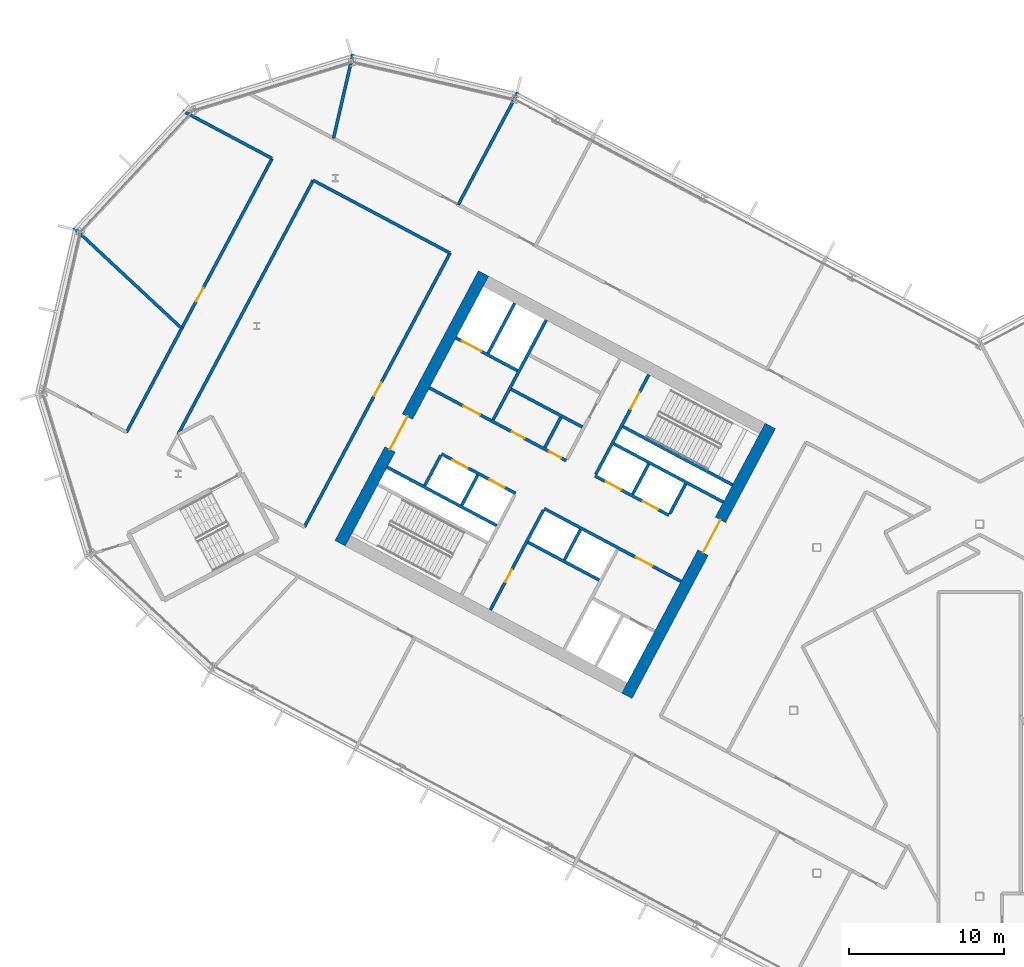
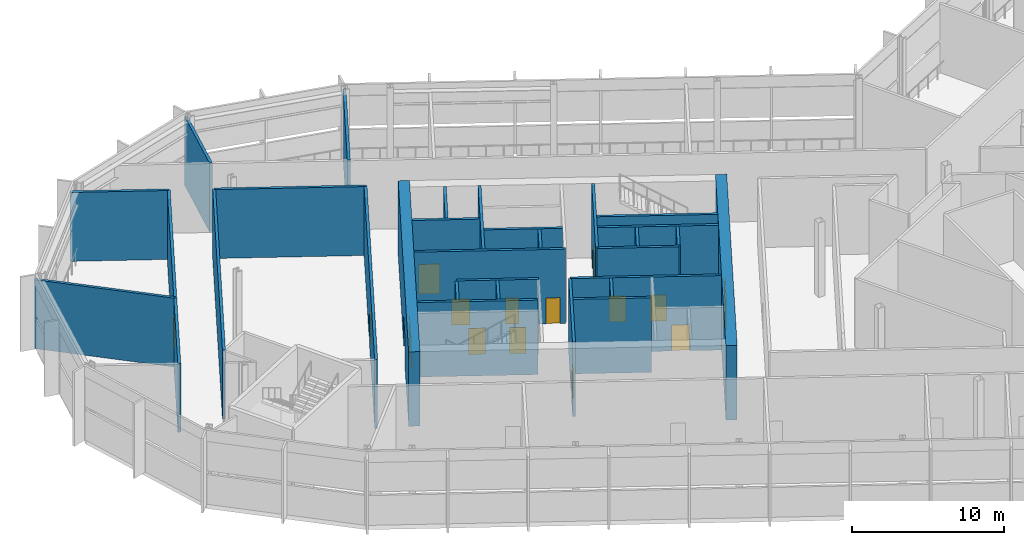
# One storey, part 14 of 33: 30 walls, 15 doors, 15 openings.
"""IFC4 building model written with IfcOpenShell, lengths in metres."""

from ifc_helpers import new_model, si_unit, direction, frame, frame_2d, origin, place, context, subcontext, project, spatial, rectangle, extrude, material, layer, layer_set, type_object, element, fill, save


model = new_model("IFC4")

# Units and contexts
model_context = context("Model", 3, precision=1e-05, world=origin(), true_north=direction((0.0, 1.0)))
body_context = subcontext(model_context, "Body", "Model", "MODEL_VIEW")
ifc_project = project(units=[si_unit("LENGTHUNIT", "METRE"), si_unit("AREAUNIT", "SQUARE_METRE"), si_unit("VOLUMEUNIT", "CUBIC_METRE"), si_unit("PLANEANGLEUNIT", "RADIAN"), si_unit("MASSUNIT", "GRAM", prefix="KILO")], contexts=[model_context])

# Site, building, storey
site_placement = place(None, origin())
site = spatial("IfcSite", under=ifc_project, at=site_placement, CompositionType="ELEMENT")
building_placement = place(site_placement, origin())
building = spatial("IfcBuilding", under=site, at=building_placement, Name="Cormorant Relay Tower", CompositionType="ELEMENT")
storey_placement = place(building_placement, frame((0.0, 0.0, 183.60009765625)))
storey = spatial("IfcBuildingStorey", under=building, at=storey_placement, Name="L39", CompositionType="ELEMENT", Elevation=183.60009765625)

# Walls
ifc_material_1 = material(Name="Concrete 40 MPa", Category="concrete")
ifc_layer_1 = layer(ifc_material_1, 0.199951171875)
ifc_layer_set_1 = layer_set([ifc_layer_1], Name="Core internal wall 200")
wall_type_1 = type_object("IfcWallType", Name="Core internal wall 200", PredefinedType="SOLIDWALL", material=ifc_layer_set_1)
wall_1_placement = place(storey_placement, frame((-21.34375, 15.87890625, 0.0), z_axis=(0.0, 0.0, 1.0), x_axis=(-0.4694473164, -0.882960484464, 0.0)))
element("IfcWall", 1, at=wall_1_placement, inside=storey, type_object=wall_type_1, Name="L39 core A shaft and room wall", PredefinedType="SOLIDWALL", context=body_context, shape_type="SweptSolid", body=[
    extrude(rectangle(XDim=2.199951171875, YDim=0.199951171875, at=frame_2d((1.10009765625, 0.0))), origin(), (0.0, 0.0, 1.0), 6.0),
])
wall_2_placement = place(storey_placement, frame((-25.744140625, 11.64990234375, 0.0), z_axis=(0.0, 0.0, 1.0), x_axis=(-0.469487830541, -0.882938942948, 0.0)))
element("IfcWall", 2, at=wall_2_placement, inside=storey, type_object=wall_type_1, Name="L39 core A shaft and room wall", PredefinedType="SOLIDWALL", context=body_context, shape_type="SweptSolid", body=[
    extrude(rectangle(XDim=2.2001953125, YDim=0.199951171875, at=frame_2d((1.10009765625, 0.0))), origin(), (0.0, 0.0, 1.0), 6.0),
])
wall_3_placement = place(storey_placement, frame((-27.01220703125, 18.892822265625, 0.0), z_axis=(0.0, 0.0, 1.0), x_axis=(-0.4694473164, -0.882960484464, 0.0)))
element("IfcWall", 3, at=wall_3_placement, inside=storey, type_object=wall_type_1, Name="L39 core A shaft and room wall", PredefinedType="SOLIDWALL", context=body_context, shape_type="SweptSolid", body=[
    extrude(rectangle(XDim=2.199951171875, YDim=0.199951171875, at=frame_2d((1.10009765625, 0.0))), origin(), (0.0, 0.0, 1.0), 6.0),
])
wall_4_placement = place(storey_placement, frame((-32.3662109375, 15.1708984375, 0.0), z_axis=(0.0, 0.0, 1.0), x_axis=(-0.469487830541, -0.882938942948, 0.0)))
element("IfcWall", 4, at=wall_4_placement, inside=storey, type_object=wall_type_1, Name="L39 core A shaft and room wall", PredefinedType="SOLIDWALL", context=body_context, shape_type="SweptSolid", body=[
    extrude(rectangle(XDim=2.2001953125, YDim=0.199951171875, at=frame_2d((1.10009765625, 0.0))), origin(), (0.0, 0.0, 1.0), 6.0),
])
ifc_material_2 = material(Name="Concrete 50 MPa", Category="concrete")
ifc_layer_2 = layer(ifc_material_2, 0.199951171875)
ifc_layer_set_2 = layer_set([ifc_layer_2], Name="Core shaft wall 200")
wall_type_2 = type_object("IfcWallType", Name="Core shaft wall 200", PredefinedType="SHEAR", material=ifc_layer_set_2)
wall_5_placement = place(storey_placement, frame((-18.959716796875, 14.611328125, 0.0), z_axis=(0.0, 0.0, 1.0), x_axis=(-0.4694473164, -0.882960484464, 0.0)))
element("IfcWall", 5, at=wall_5_placement, inside=storey, type_object=wall_type_2, Name="L39 core A shaft wall", PredefinedType="SHEAR", context=body_context, shape_type="SweptSolid", body=[
    extrude(rectangle(XDim=2.199951171875, YDim=0.199951171875, at=frame_2d((1.10009765625, 0.0))), origin(), (0.0, 0.0, 1.0), 6.0),
])

# Wall, opening, door
wall_6_placement = place(storey_placement, frame((-21.333251953125, 21.6494140625, 0.0), z_axis=(0.0, 0.0, 1.0), x_axis=(-0.469494272526, -0.882935517501, 0.0)))
wall_6 = element("IfcWall", 6, at=wall_6_placement, inside=storey, type_object=wall_type_2, Name="L39 core A shaft wall", PredefinedType="SHEAR", context=body_context, shape_type="SweptSolid", body=[
    extrude(rectangle(XDim=7.2998046875, YDim=0.199951171875, at=frame_2d((3.64990234375, 0.0))), origin(), (0.0, 0.0, 1.0), 6.0),
])
opening_1_placement = place(wall_6_placement, frame((1.300048828125, 0.0, 0.0)))
opening_1 = element("IfcOpeningElement", 7, at=opening_1_placement, cuts=wall_6, Name="Opening CDB-029", PredefinedType="OPENING", context=body_context, shape_type="SweptSolid", body=[
    extrude(rectangle(XDim=1.199951171875, YDim=2.10009765625, at=frame_2d((0.60009765625, 1.050048828125))), frame((0.0, 0.10986328125, 0.0), z_axis=(0.0, -1.0, 0.0), x_axis=(1.0, 0.0, 0.0)), (0.0, 0.0, 1.0), 0.219970703125),
])
ifc_material_3 = material(Name="Steel fire door", Category="steel")
door_type_1 = type_object("IfcDoorType", Name="Core stair door 1200x2100", OperationType="SINGLE_SWING_LEFT", PredefinedType="DOOR", material=ifc_material_3)
door_1_placement = place(opening_1_placement, origin())
door_1 = element("IfcDoor", 8, at=door_1_placement, inside=storey, type_object=door_type_1, Name="Core stair door 1200x2100", OperationType="SINGLE_SWING_RIGHT", OverallHeight=2.10009765625, OverallWidth=1.199951171875, PredefinedType="DOOR", context=body_context, shape_type="SweptSolid", body=[
    extrude(rectangle(XDim=1.199951171875, YDim=2.10009765625, at=frame_2d((0.60009765625, 1.050048828125))), frame((0.0, 0.02490234375, 0.0), z_axis=(0.0, -1.0, 0.0), x_axis=(1.0, 0.0, 0.0)), (0.0, 0.0, 1.0), 0.050048828125),
])
fill(opening_1, door_1)

wall_7_placement = place(storey_placement, frame((-28.128173828125, 12.91748046875, 0.0), z_axis=(0.0, 0.0, 1.0), x_axis=(-0.469454336211, -0.882956752176, 0.0)))
wall_7 = element("IfcWall", 9, at=wall_7_placement, inside=storey, type_object=wall_type_2, Name="L39 core A shaft wall", PredefinedType="SHEAR", context=body_context, shape_type="SweptSolid", body=[
    extrude(rectangle(XDim=7.300048828125, YDim=0.199951171875, at=frame_2d((3.64990234375, 0.0))), origin(), (0.0, 0.0, 1.0), 6.0),
])
opening_2_placement = place(wall_7_placement, frame((4.35009765625, 0.0, 0.0)))
opening_2 = element("IfcOpeningElement", 10, at=opening_2_placement, cuts=wall_7, Name="Opening CDD-224", PredefinedType="OPENING", context=body_context, shape_type="SweptSolid", body=[
    extrude(rectangle(XDim=0.89990234375, YDim=2.10009765625, at=frame_2d((0.449951171875, 1.050048828125))), frame((0.0, 0.10986328125, 0.0), z_axis=(0.0, -1.0, 0.0), x_axis=(1.0, 0.0, 0.0)), (0.0, 0.0, 1.0), 0.219970703125),
])
ifc_material_4 = material(Name="Steel fire door", Category="steel")
door_type_2 = type_object("IfcDoorType", Name="Core room door 900x2100", OperationType="SINGLE_SWING_LEFT", PredefinedType="DOOR", material=ifc_material_4)
door_2_placement = place(opening_2_placement, origin())
door_2 = element("IfcDoor", 11, at=door_2_placement, inside=storey, type_object=door_type_2, Name="Core room door 900x2100", OperationType="SINGLE_SWING_LEFT", OverallHeight=2.10009765625, OverallWidth=0.89990234375, PredefinedType="DOOR", context=body_context, shape_type="SweptSolid", body=[
    extrude(rectangle(XDim=0.89990234375, YDim=2.10009765625, at=frame_2d((0.449951171875, 1.050048828125))), frame((0.0, 0.02490234375, 0.0), z_axis=(0.0, -1.0, 0.0), x_axis=(1.0, 0.0, 0.0)), (0.0, 0.0, 1.0), 0.050048828125),
])
fill(opening_2, door_2)

# Walls
wall_8_placement = place(storey_placement, frame((-27.955322265625, 25.170654296875, 0.0), z_axis=(0.0, 0.0, 1.0), x_axis=(-0.469480409012, -0.88294288918, 0.0)))
element("IfcWall", 12, at=wall_8_placement, inside=storey, type_object=wall_type_2, Name="L39 core A shaft wall", PredefinedType="SHEAR", context=body_context, shape_type="SweptSolid", body=[
    extrude(rectangle(XDim=7.300048828125, YDim=0.199951171875, at=frame_2d((3.64990234375, 0.0))), origin(), (0.0, 0.0, 1.0), 6.0),
])
wall_9_placement = place(storey_placement, frame((-34.750244140625, 16.4384765625, 0.0), z_axis=(0.0, 0.0, 1.0), x_axis=(-0.469401318492, -0.882984938828, 0.0)))
element("IfcWall", 13, at=wall_9_placement, inside=storey, type_object=wall_type_2, Name="L39 core A shaft wall", PredefinedType="SHEAR", context=body_context, shape_type="SweptSolid", body=[
    extrude(rectangle(XDim=2.199951171875, YDim=0.199951171875, at=frame_2d((1.10009765625, 0.0))), origin(), (0.0, 0.0, 1.0), 6.0),
])
wall_10_placement = place(storey_placement, frame((-29.986083984375, 26.250244140625, 0.0), z_axis=(0.0, 0.0, 1.0), x_axis=(-0.469494272526, -0.882935517501, 0.0)))
element("IfcWall", 14, at=wall_10_placement, inside=storey, type_object=wall_type_2, Name="L39 core A shaft wall", PredefinedType="SHEAR", context=body_context, shape_type="SweptSolid", body=[
    extrude(rectangle(XDim=3.64990234375, YDim=0.199951171875, at=frame_2d((1.824951171875, 0.0))), origin(), (0.0, 0.0, 1.0), 6.0),
])
wall_11_placement = place(storey_placement, frame((-15.94189453125, 14.53564453125, 0.0), z_axis=(0.0, 0.0, 1.0), x_axis=(-0.882946947542, 0.469472776449, 0.0)))
element("IfcWall", 15, at=wall_11_placement, inside=storey, type_object=wall_type_2, Name="L39 core A shaft wall", PredefinedType="SHEAR", context=body_context, shape_type="SweptSolid", body=[
    extrude(rectangle(XDim=8.000244140625, YDim=0.199951171875, at=frame_2d((4.0, 0.0))), origin(), (0.0, 0.0, 1.0), 6.0),
])

# Wall, opening, door
wall_12_placement = place(storey_placement, frame((-29.80419921875, 21.906494140625, 0.0), z_axis=(0.0, 0.0, 1.0), x_axis=(-0.882960433586, 0.469447412093, 0.0)))
wall_12 = element("IfcWall", 16, at=wall_12_placement, inside=storey, type_object=wall_type_2, Name="L39 core A shaft wall", PredefinedType="SHEAR", context=body_context, shape_type="SweptSolid", body=[
    extrude(rectangle(XDim=4.5, YDim=0.199951171875, at=frame_2d((2.25, 0.0))), origin(), (0.0, 0.0, 1.0), 6.0),
])
opening_3_placement = place(wall_12_placement, frame((2.64990234375, 0.0, 0.0)))
opening_3 = element("IfcOpeningElement", 17, at=opening_3_placement, cuts=wall_12, Name="Opening LD3-011", PredefinedType="OPENING", context=body_context, shape_type="SweptSolid", body=[
    extrude(rectangle(XDim=1.39990234375, YDim=2.39990234375, at=frame_2d((0.699951171875, 1.199951171875))), frame((0.0, 0.10986328125, 0.0), z_axis=(0.0, -1.0, 0.0), x_axis=(1.0, 0.0, 0.0)), (0.0, 0.0, 1.0), 0.219970703125),
])
ifc_material_5 = material(Name="Stainless steel 316", Category="steel")
door_type_3 = type_object("IfcDoorType", Name="Lift landing door 1400x2400", OperationType="DOUBLE_DOOR_SLIDING", PredefinedType="DOOR", material=ifc_material_5)
door_3_placement = place(opening_3_placement, origin())
door_3 = element("IfcDoor", 18, at=door_3_placement, inside=storey, type_object=door_type_3, Name="SV1 landing door", OperationType="DOUBLE_DOOR_SLIDING", OverallHeight=2.39990234375, OverallWidth=1.39990234375, PredefinedType="DOOR", context=body_context, shape_type="SweptSolid", body=[
    extrude(rectangle(XDim=1.39990234375, YDim=2.39990234375, at=frame_2d((0.699951171875, 1.199951171875))), frame((0.0, 0.02490234375, 0.0), z_axis=(0.0, -1.0, 0.0), x_axis=(1.0, 0.0, 0.0)), (0.0, 0.0, 1.0), 0.050048828125),
])
fill(opening_3, door_3)

# Walls
wall_13_placement = place(storey_placement, frame((-16.52880859375, 13.43212890625, 0.0), z_axis=(0.0, 0.0, 1.0), x_axis=(-0.88295287151, 0.469461634952, 0.0)))
element("IfcWall", 19, at=wall_13_placement, inside=storey, type_object=wall_type_2, Name="L39 core A shaft wall", PredefinedType="SHEAR", context=body_context, shape_type="SweptSolid", body=[
    extrude(rectangle(XDim=7.999755859375, YDim=0.199951171875, at=frame_2d((4.0, 0.0))), origin(), (0.0, 0.0, 1.0), 6.0),
])
wall_14_placement = place(storey_placement, frame((-25.623046875, 18.267578125, 0.0), z_axis=(0.0, 0.0, 1.0), x_axis=(-0.882953967957, 0.469459572775, 0.0)))
element("IfcWall", 20, at=wall_14_placement, inside=storey, type_object=wall_type_2, Name="L39 core A shaft wall", PredefinedType="SHEAR", context=body_context, shape_type="SweptSolid", body=[
    extrude(rectangle(XDim=5.199951171875, YDim=0.199951171875, at=frame_2d((2.60009765625, 0.0))), origin(), (0.0, 0.0, 1.0), 6.0),
])

# Wall, openings, doors
wall_15_placement = place(storey_placement, frame((-20.03955078125, 12.58056640625, 0.0), z_axis=(0.0, 0.0, 1.0), x_axis=(-0.882942972946, 0.469480251476, 0.0)))
wall_15 = element("IfcWall", 21, at=wall_15_placement, inside=storey, type_object=wall_type_2, Name="L39 core A shaft wall", PredefinedType="SHEAR", context=body_context, shape_type="SweptSolid", body=[
    extrude(rectangle(XDim=5.39990234375, YDim=0.199951171875, at=frame_2d((2.699951171875, 0.0))), origin(), (0.0, 0.0, 1.0), 6.0),
])
opening_4_placement = place(wall_15_placement, frame((0.800048828125, 0.0, 0.0)))
opening_4 = element("IfcOpeningElement", 22, at=opening_4_placement, cuts=wall_15, Name="Opening LD1-057", PredefinedType="OPENING", context=body_context, shape_type="SweptSolid", body=[
    extrude(rectangle(XDim=1.10009765625, YDim=2.10009765625, at=frame_2d((0.550048828125, 1.050048828125))), frame((0.0, 0.10986328125, 0.0), z_axis=(0.0, -1.0, 0.0), x_axis=(1.0, 0.0, 0.0)), (0.0, 0.0, 1.0), 0.219970703125),
])
opening_5_placement = place(wall_15_placement, frame((3.5, 0.0, 0.0)))
opening_5 = element("IfcOpeningElement", 23, at=opening_5_placement, cuts=wall_15, Name="Opening LD1-058", PredefinedType="OPENING", context=body_context, shape_type="SweptSolid", body=[
    extrude(rectangle(XDim=1.10009765625, YDim=2.10009765625, at=frame_2d((0.550048828125, 1.050048828125))), frame((0.0, 0.10986328125, 0.0), z_axis=(0.0, -1.0, 0.0), x_axis=(1.0, 0.0, 0.0)), (0.0, 0.0, 1.0), 0.219970703125),
])
ifc_material_6 = material(Name="Stainless steel 316", Category="steel")
door_type_4 = type_object("IfcDoorType", Name="Lift landing door 1100x2100", OperationType="DOUBLE_DOOR_SLIDING", PredefinedType="DOOR", material=ifc_material_6)
door_4_placement = place(opening_4_placement, origin())
door_4 = element("IfcDoor", 24, at=door_4_placement, inside=storey, type_object=door_type_4, Name="MR3 landing door", OperationType="DOUBLE_DOOR_SLIDING", OverallHeight=2.10009765625, OverallWidth=1.10009765625, PredefinedType="DOOR", context=body_context, shape_type="SweptSolid", body=[
    extrude(rectangle(XDim=1.10009765625, YDim=2.10009765625, at=frame_2d((0.550048828125, 1.050048828125))), frame((0.0, 0.02490234375, 0.0), z_axis=(0.0, -1.0, 0.0), x_axis=(1.0, 0.0, 0.0)), (0.0, 0.0, 1.0), 0.050048828125),
])
fill(opening_4, door_4)
door_5_placement = place(opening_5_placement, origin())
door_5 = element("IfcDoor", 25, at=door_5_placement, inside=storey, type_object=door_type_4, Name="MR4 landing door", OperationType="DOUBLE_DOOR_SLIDING", OverallHeight=2.10009765625, OverallWidth=1.10009765625, PredefinedType="DOOR", context=body_context, shape_type="SweptSolid", body=[
    extrude(rectangle(XDim=1.10009765625, YDim=2.10009765625, at=frame_2d((0.550048828125, 1.050048828125))), frame((0.0, 0.02490234375, 0.0), z_axis=(0.0, -1.0, 0.0), x_axis=(1.0, 0.0, 0.0)), (0.0, 0.0, 1.0), 0.050048828125),
])
fill(opening_5, door_5)

wall_16_placement = place(storey_placement, frame((-26.66162109375, 16.1015625, 0.0), z_axis=(0.0, 0.0, 1.0), x_axis=(-0.882940221191, 0.469485426614, 0.0)))
wall_16 = element("IfcWall", 26, at=wall_16_placement, inside=storey, type_object=wall_type_2, Name="L39 core A shaft wall", PredefinedType="SHEAR", context=body_context, shape_type="SweptSolid", body=[
    extrude(rectangle(XDim=10.0, YDim=0.199951171875, at=frame_2d((5.0, 0.0))), origin(), (0.0, 0.0, 1.0), 6.0),
])
opening_6_placement = place(wall_16_placement, frame((6.300048828125, 0.0, 0.0)))
opening_6 = element("IfcOpeningElement", 27, at=opening_6_placement, cuts=wall_16, Name="Opening CDC-032", PredefinedType="OPENING", context=body_context, shape_type="SweptSolid", body=[
    extrude(rectangle(XDim=1.199951171875, YDim=2.10009765625, at=frame_2d((0.60009765625, 1.050048828125))), frame((0.0, 0.10986328125, 0.0), z_axis=(0.0, -1.0, 0.0), x_axis=(1.0, 0.0, 0.0)), (0.0, 0.0, 1.0), 0.219970703125),
])
opening_7_placement = place(wall_16_placement, frame((0.360107421875, 0.0, 0.0)))
opening_7 = element("IfcOpeningElement", 28, at=opening_7_placement, cuts=wall_16, Name="Opening CDD-222", PredefinedType="OPENING", context=body_context, shape_type="SweptSolid", body=[
    extrude(rectangle(XDim=0.89990234375, YDim=2.10009765625, at=frame_2d((0.449951171875, 1.050048828125))), frame((0.0, 0.10986328125, 0.0), z_axis=(0.0, -1.0, 0.0), x_axis=(1.0, 0.0, 0.0)), (0.0, 0.0, 1.0), 0.219970703125),
])
opening_8_placement = place(wall_16_placement, frame((3.06005859375, 0.0, 0.0)))
opening_8 = element("IfcOpeningElement", 29, at=opening_8_placement, cuts=wall_16, Name="Opening CDD-223", PredefinedType="OPENING", context=body_context, shape_type="SweptSolid", body=[
    extrude(rectangle(XDim=0.89990234375, YDim=2.10009765625, at=frame_2d((0.449951171875, 1.050048828125))), frame((0.0, 0.10986328125, 0.0), z_axis=(0.0, -1.0, 0.0), x_axis=(1.0, 0.0, 0.0)), (0.0, 0.0, 1.0), 0.219970703125),
])
ifc_material_7 = material(Name="Steel fire door", Category="steel")
door_type_5 = type_object("IfcDoorType", Name="Core lobby door 1200x2100", OperationType="SINGLE_SWING_LEFT", PredefinedType="DOOR", material=ifc_material_7)
door_6_placement = place(opening_6_placement, frame((1.199951171875, 0.0, 0.0), z_axis=(0.0, 0.0, 1.0), x_axis=(-1.0, 0.0, 0.0)))
door_6 = element("IfcDoor", 30, at=door_6_placement, inside=storey, type_object=door_type_5, Name="Core lobby door 1200x2100", OperationType="SINGLE_SWING_RIGHT", OverallHeight=2.10009765625, OverallWidth=1.199951171875, PredefinedType="DOOR", context=body_context, shape_type="SweptSolid", body=[
    extrude(rectangle(XDim=1.199951171875, YDim=2.10009765625, at=frame_2d((0.60009765625, 1.050048828125))), frame((0.0, 0.02490234375, 0.0), z_axis=(0.0, -1.0, 0.0), x_axis=(1.0, 0.0, 0.0)), (0.0, 0.0, 1.0), 0.050048828125),
])
fill(opening_6, door_6)
door_7_placement = place(opening_7_placement, frame((0.89990234375, 0.0, 0.0), z_axis=(0.0, 0.0, 1.0), x_axis=(-1.0, 0.0, 0.0)))
door_7 = element("IfcDoor", 31, at=door_7_placement, inside=storey, type_object=door_type_2, Name="Core room door 900x2100", OperationType="SINGLE_SWING_RIGHT", OverallHeight=2.10009765625, OverallWidth=0.89990234375, PredefinedType="DOOR", context=body_context, shape_type="SweptSolid", body=[
    extrude(rectangle(XDim=0.89990234375, YDim=2.10009765625, at=frame_2d((0.449951171875, 1.050048828125))), frame((0.0, 0.02490234375, 0.0), z_axis=(0.0, -1.0, 0.0), x_axis=(1.0, 0.0, 0.0)), (0.0, 0.0, 1.0), 0.050048828125),
])
fill(opening_7, door_7)
door_8_placement = place(opening_8_placement, frame((0.89990234375, 0.0, 0.0), z_axis=(0.0, 0.0, 1.0), x_axis=(-1.0, 0.0, 0.0)))
door_8 = element("IfcDoor", 32, at=door_8_placement, inside=storey, type_object=door_type_2, Name="Core room door 900x2100", OperationType="SINGLE_SWING_RIGHT", OverallHeight=2.10009765625, OverallWidth=0.89990234375, PredefinedType="DOOR", context=body_context, shape_type="SweptSolid", body=[
    extrude(rectangle(XDim=0.89990234375, YDim=2.10009765625, at=frame_2d((0.449951171875, 1.050048828125))), frame((0.0, 0.02490234375, 0.0), z_axis=(0.0, -1.0, 0.0), x_axis=(1.0, 0.0, 0.0)), (0.0, 0.0, 1.0), 0.050048828125),
])
fill(opening_8, door_8)

# Wall, opening, door
wall_17_placement = place(storey_placement, frame((-19.251708984375, 8.31103515625, 0.0), z_axis=(0.0, 0.0, 1.0), x_axis=(-0.882955722218, 0.469456273365, 0.0)))
wall_17 = element("IfcWall", 33, at=wall_17_placement, inside=storey, type_object=wall_type_2, Name="L39 core A shaft wall", PredefinedType="SHEAR", context=body_context, shape_type="SweptSolid", body=[
    extrude(rectangle(XDim=10.0, YDim=0.199951171875, at=frame_2d((5.0, 0.0))), origin(), (0.0, 0.0, 1.0), 6.0),
])
opening_9_placement = place(wall_17_placement, frame((2.10009765625, 0.0, 0.0)))
opening_9 = element("IfcOpeningElement", 34, at=opening_9_placement, cuts=wall_17, Name="Opening CDC-021", PredefinedType="OPENING", context=body_context, shape_type="SweptSolid", body=[
    extrude(rectangle(XDim=1.199951171875, YDim=2.10009765625, at=frame_2d((0.60009765625, 1.050048828125))), frame((0.0, 0.10986328125, 0.0), z_axis=(0.0, -1.0, 0.0), x_axis=(1.0, 0.0, 0.0)), (0.0, 0.0, 1.0), 0.219970703125),
])
door_9_placement = place(opening_9_placement, origin())
door_9 = element("IfcDoor", 35, at=door_9_placement, inside=storey, type_object=door_type_5, Name="Core lobby door 1200x2100", OperationType="SINGLE_SWING_RIGHT", OverallHeight=2.10009765625, OverallWidth=1.199951171875, PredefinedType="DOOR", context=body_context, shape_type="SweptSolid", body=[
    extrude(rectangle(XDim=1.199951171875, YDim=2.10009765625, at=frame_2d((0.60009765625, 1.050048828125))), frame((0.0, 0.02490234375, 0.0), z_axis=(0.0, -1.0, 0.0), x_axis=(1.0, 0.0, 0.0)), (0.0, 0.0, 1.0), 0.050048828125),
])
fill(opening_9, door_9)

# Wall, openings, doors
wall_18_placement = place(storey_placement, frame((-29.935302734375, 13.991455078125, 0.0), z_axis=(0.0, 0.0, 1.0), x_axis=(-0.882952937579, 0.469461510692, 0.0)))
wall_18 = element("IfcWall", 36, at=wall_18_placement, inside=storey, type_object=wall_type_2, Name="L39 core A shaft wall", PredefinedType="SHEAR", context=body_context, shape_type="SweptSolid", body=[
    extrude(rectangle(XDim=5.400146484375, YDim=0.199951171875, at=frame_2d((2.7001953125, 0.0))), origin(), (0.0, 0.0, 1.0), 6.0),
])
opening_10_placement = place(wall_18_placement, frame((0.800048828125, 0.0, 0.0)))
opening_10 = element("IfcOpeningElement", 37, at=opening_10_placement, cuts=wall_18, Name="Opening LD1-055", PredefinedType="OPENING", context=body_context, shape_type="SweptSolid", body=[
    extrude(rectangle(XDim=1.10009765625, YDim=2.10009765625, at=frame_2d((0.550048828125, 1.050048828125))), frame((0.0, 0.10986328125, 0.0), z_axis=(0.0, -1.0, 0.0), x_axis=(1.0, 0.0, 0.0)), (0.0, 0.0, 1.0), 0.219970703125),
])
opening_11_placement = place(wall_18_placement, frame((3.5, 0.0, 0.0)))
opening_11 = element("IfcOpeningElement", 38, at=opening_11_placement, cuts=wall_18, Name="Opening LD1-056", PredefinedType="OPENING", context=body_context, shape_type="SweptSolid", body=[
    extrude(rectangle(XDim=1.10009765625, YDim=2.10009765625, at=frame_2d((0.550048828125, 1.050048828125))), frame((0.0, 0.10986328125, 0.0), z_axis=(0.0, -1.0, 0.0), x_axis=(1.0, 0.0, 0.0)), (0.0, 0.0, 1.0), 0.219970703125),
])
door_10_placement = place(opening_10_placement, origin())
door_10 = element("IfcDoor", 39, at=door_10_placement, inside=storey, type_object=door_type_4, Name="MR1 landing door", OperationType="DOUBLE_DOOR_SLIDING", OverallHeight=2.10009765625, OverallWidth=1.10009765625, PredefinedType="DOOR", context=body_context, shape_type="SweptSolid", body=[
    extrude(rectangle(XDim=1.10009765625, YDim=2.10009765625, at=frame_2d((0.550048828125, 1.050048828125))), frame((0.0, 0.02490234375, 0.0), z_axis=(0.0, -1.0, 0.0), x_axis=(1.0, 0.0, 0.0)), (0.0, 0.0, 1.0), 0.050048828125),
])
fill(opening_10, door_10)
door_11_placement = place(opening_11_placement, origin())
door_11 = element("IfcDoor", 40, at=door_11_placement, inside=storey, type_object=door_type_4, Name="MR2 landing door", OperationType="DOUBLE_DOOR_SLIDING", OverallHeight=2.10009765625, OverallWidth=1.10009765625, PredefinedType="DOOR", context=body_context, shape_type="SweptSolid", body=[
    extrude(rectangle(XDim=1.10009765625, YDim=2.10009765625, at=frame_2d((0.550048828125, 1.050048828125))), frame((0.0, 0.02490234375, 0.0), z_axis=(0.0, -1.0, 0.0), x_axis=(1.0, 0.0, 0.0)), (0.0, 0.0, 1.0), 0.050048828125),
])
fill(opening_11, door_11)

# Walls
wall_19_placement = place(storey_placement, frame((-24.5283203125, 8.3984375, 0.0), z_axis=(0.0, 0.0, 1.0), x_axis=(-0.882953967957, 0.469459572775, 0.0)))
element("IfcWall", 41, at=wall_19_placement, inside=storey, type_object=wall_type_2, Name="L39 core A shaft wall", PredefinedType="SHEAR", context=body_context, shape_type="SweptSolid", body=[
    extrude(rectangle(XDim=5.199951171875, YDim=0.199951171875, at=frame_2d((2.60009765625, 0.0))), origin(), (0.0, 0.0, 1.0), 6.0),
])
wall_20_placement = place(storey_placement, frame((-31.150390625, 11.91943359375, 0.0), z_axis=(0.0, 0.0, 1.0), x_axis=(-0.882940221191, 0.469485426614, 0.0)))
element("IfcWall", 42, at=wall_20_placement, inside=storey, type_object=wall_type_2, Name="L39 core A shaft wall", PredefinedType="SHEAR", context=body_context, shape_type="SweptSolid", body=[
    extrude(rectangle(XDim=8.0, YDim=0.199951171875, at=frame_2d((4.0, 0.0))), origin(), (0.0, 0.0, 1.0), 6.0),
])

# Wall, opening, door
ifc_material_8 = material(Name="Concrete 60 MPa", Category="concrete")
ifc_layer_3 = layer(ifc_material_8, 0.75)
ifc_layer_set_3 = layer_set([ifc_layer_3], Name="Core wall 750")
wall_type_3 = type_object("IfcWallType", Name="Core wall 750", PredefinedType="SHEAR", material=ifc_layer_set_3)
wall_21_placement = place(storey_placement, frame((-13.498291015625, 18.3330078125, 0.0), z_axis=(0.0, 0.0, 1.0), x_axis=(-0.469469918705, -0.88294846703, 0.0)))
wall_21 = element("IfcWall", 43, at=wall_21_placement, inside=storey, type_object=wall_type_3, Name="L39 core A wall", PredefinedType="SHEAR", context=body_context, shape_type="SweptSolid", body=[
    extrude(rectangle(XDim=19.699951171875, YDim=0.75, at=frame_2d((9.85009765625, 0.0))), origin(), (0.0, 0.0, 1.0), 6.0),
])
opening_12_placement = place(wall_21_placement, frame((6.85009765625, 0.0, 0.0)))
opening_12 = element("IfcOpeningElement", 44, at=opening_12_placement, cuts=wall_21, Name="Opening CDA-036", PredefinedType="OPENING", context=body_context, shape_type="SweptSolid", body=[
    extrude(rectangle(XDim=2.39990234375, YDim=2.39990234375, at=frame_2d((1.199951171875, 1.199951171875))), frame((0.0, 0.385009765625, 0.0), z_axis=(0.0, -1.0, 0.0), x_axis=(1.0, 0.0, 0.0)), (0.0, 0.0, 1.0), 0.77001953125),
])
ifc_material_9 = material(Name="Steel fire door", Category="steel")
door_type_6 = type_object("IfcDoorType", Name="Core lobby door 2400x2400", OperationType="DOUBLE_DOOR_SINGLE_SWING", PredefinedType="DOOR", material=ifc_material_9)
door_12_placement = place(opening_12_placement, frame((2.39990234375, 0.0, 0.0), z_axis=(0.0, 0.0, 1.0), x_axis=(-1.0, 0.0, 0.0)))
door_12 = element("IfcDoor", 45, at=door_12_placement, inside=storey, type_object=door_type_6, Name="Core lobby door 2400x2400", OperationType="DOUBLE_DOOR_SINGLE_SWING", OverallHeight=2.39990234375, OverallWidth=2.39990234375, PredefinedType="DOOR", context=body_context, shape_type="SweptSolid", body=[
    extrude(rectangle(XDim=2.39990234375, YDim=2.39990234375, at=frame_2d((1.199951171875, 1.199951171875))), frame((0.0, 0.02490234375, 0.0), z_axis=(0.0, -1.0, 0.0), x_axis=(1.0, 0.0, 0.0)), (0.0, 0.0, 1.0), 0.050048828125),
])
fill(opening_12, door_12)

wall_22_placement = place(storey_placement, frame((-31.995849609375, 28.16845703125, 0.0), z_axis=(0.0, 0.0, 1.0), x_axis=(-0.469479580143, -0.882943329908, 0.0)))
wall_22 = element("IfcWall", 46, at=wall_22_placement, inside=storey, type_object=wall_type_3, Name="L39 core A wall", PredefinedType="SHEAR", context=body_context, shape_type="SweptSolid", body=[
    extrude(rectangle(XDim=19.699951171875, YDim=0.75, at=frame_2d((9.85009765625, 0.0))), origin(), (0.0, 0.0, 1.0), 6.0),
])
opening_13_placement = place(wall_22_placement, frame((10.449951171875, 0.0, 0.0)))
opening_13 = element("IfcOpeningElement", 47, at=opening_13_placement, cuts=wall_22, Name="Opening CDA-037", PredefinedType="OPENING", context=body_context, shape_type="SweptSolid", body=[
    extrude(rectangle(XDim=2.39990234375, YDim=2.39990234375, at=frame_2d((1.199951171875, 1.199951171875))), frame((0.0, 0.385009765625, 0.0), z_axis=(0.0, -1.0, 0.0), x_axis=(1.0, 0.0, 0.0)), (0.0, 0.0, 1.0), 0.77001953125),
])
door_13_placement = place(opening_13_placement, origin())
door_13 = element("IfcDoor", 48, at=door_13_placement, inside=storey, type_object=door_type_6, Name="Core lobby door 2400x2400", OperationType="DOUBLE_DOOR_SINGLE_SWING", OverallHeight=2.39990234375, OverallWidth=2.39990234375, PredefinedType="DOOR", context=body_context, shape_type="SweptSolid", body=[
    extrude(rectangle(XDim=2.39990234375, YDim=2.39990234375, at=frame_2d((1.199951171875, 1.199951171875))), frame((0.0, 0.02490234375, 0.0), z_axis=(0.0, -1.0, 0.0), x_axis=(1.0, 0.0, 0.0)), (0.0, 0.0, 1.0), 0.050048828125),
])
fill(opening_13, door_13)

ifc_material_10 = material(Name="Fire-rated gypsum board partition")
ifc_layer_4 = layer(ifc_material_10, 0.199951171875)
ifc_layer_set_4 = layer_set([ifc_layer_4], Name="Fire-rated gypsum partition 200")
wall_type_4 = type_object("IfcWallType", Name="Fire-rated gypsum partition 200", PredefinedType="PARTITIONING", material=ifc_layer_set_4)
wall_23_placement = place(storey_placement, frame((-55.02294921875, 17.929931640625, 0.0), z_axis=(0.0, 0.0, 1.0), x_axis=(0.469484822724, 0.882940542297, 0.0)))
wall_23 = element("IfcWall", 49, at=wall_23_placement, inside=storey, type_object=wall_type_4, Name="wall/L39/part/1", PredefinedType="PARTITIONING", context=body_context, shape_type="SweptSolid", body=[
    extrude(rectangle(XDim=20.00048828125, YDim=0.199951171875, at=frame_2d((10.000244140625, 0.0))), origin(), (0.0, 0.0, 1.0), 5.5498046875),
])
opening_14_placement = place(wall_23_placement, frame((9.550048828125, 0.0, 0.0)))
opening_14 = element("IfcOpeningElement", 50, at=opening_14_placement, cuts=wall_23, Name="Opening FD1-151", PredefinedType="OPENING", context=body_context, shape_type="SweptSolid", body=[
    extrude(rectangle(XDim=1.0, YDim=2.10009765625, at=frame_2d((0.5, 1.050048828125))), frame((0.0, 0.10986328125, 0.0), z_axis=(0.0, -1.0, 0.0), x_axis=(1.0, 0.0, 0.0)), (0.0, 0.0, 1.0), 0.219970703125),
])
ifc_material_11 = material(Name="Fire-rated steel door", Category="steel")
door_type_7 = type_object("IfcDoorType", Name="Fire door 1000 x 2100", OperationType="SINGLE_SWING_LEFT", PredefinedType="DOOR", material=ifc_material_11)
door_14_placement = place(opening_14_placement, origin())
door_14 = element("IfcDoor", 51, at=door_14_placement, inside=storey, type_object=door_type_7, Name="door/L39/1", OperationType="SINGLE_SWING_RIGHT", OverallHeight=2.10009765625, OverallWidth=1.0, PredefinedType="DOOR", context=body_context, shape_type="SweptSolid", body=[
    extrude(rectangle(XDim=1.0, YDim=2.10009765625, at=frame_2d((0.5, 1.050048828125))), frame((0.0, 0.02490234375, 0.0), z_axis=(0.0, -1.0, 0.0), x_axis=(1.0, 0.0, 0.0)), (0.0, 0.0, 1.0), 0.050048828125),
])
fill(opening_14, door_14)

# Walls
wall_24_placement = place(storey_placement, frame((-45.633056640625, 35.589111328125, 0.0), z_axis=(0.0, 0.0, 1.0), x_axis=(-0.882934074093, 0.469496987003, 0.0)))
element("IfcWall", 52, at=wall_24_placement, inside=storey, type_object=wall_type_4, Name="wall/L39/part/2", PredefinedType="PARTITIONING", context=body_context, shape_type="SweptSolid", body=[
    extrude(rectangle(XDim=6.528076171875, YDim=0.199951171875, at=frame_2d((3.26416015625, 0.0))), origin(), (0.0, 0.0, 1.0), 5.5498046875),
])
wall_25_placement = place(storey_placement, frame((-58.427001953125, 31.125, 0.0), z_axis=(0.0, 0.0, 1.0), x_axis=(0.731509450144, -0.681831301973, 0.0)))
element("IfcWall", 53, at=wall_25_placement, inside=storey, type_object=wall_type_4, Name="wall/L39/part/3", PredefinedType="PARTITIONING", context=body_context, shape_type="SweptSolid", body=[
    extrude(rectangle(XDim=9.524169921875, YDim=0.199951171875, at=frame_2d((4.76220703125, 0.0))), origin(), (0.0, 0.0, 1.0), 5.5498046875),
])
wall_26_placement = place(storey_placement, frame((-51.695068359375, 17.798095703125, 0.0), z_axis=(0.0, 0.0, 1.0), x_axis=(0.469483567396, 0.88294120979, 0.0)))
element("IfcWall", 54, at=wall_26_placement, inside=storey, type_object=wall_type_4, Name="wall/L39/part/10", PredefinedType="PARTITIONING", context=body_context, shape_type="SweptSolid", body=[
    extrude(rectangle(XDim=18.554931640625, YDim=0.199951171875, at=frame_2d((9.27734375, 0.0))), origin(), (0.0, 0.0, 1.0), 5.5498046875),
])
wall_27_placement = place(storey_placement, frame((-42.98388671875, 34.180908203125, 0.0), z_axis=(0.0, 0.0, 1.0), x_axis=(0.882929457898, -0.469505668097, 0.0)))
element("IfcWall", 55, at=wall_27_placement, inside=storey, type_object=wall_type_4, Name="wall/L39/part/11", PredefinedType="PARTITIONING", context=body_context, shape_type="SweptSolid", body=[
    extrude(rectangle(XDim=9.99951171875, YDim=0.199951171875, at=frame_2d((4.999755859375, 0.0))), origin(), (0.0, 0.0, 1.0), 5.5498046875),
])

# Wall, opening, door
wall_28_placement = place(storey_placement, frame((-34.155029296875, 29.486083984375, 0.0), z_axis=(0.0, 0.0, 1.0), x_axis=(-0.469446756585, -0.882960782103, 0.0)))
wall_28 = element("IfcWall", 56, at=wall_28_placement, inside=storey, type_object=wall_type_4, Name="wall/L39/part/12", PredefinedType="PARTITIONING", context=body_context, shape_type="SweptSolid", body=[
    extrude(rectangle(XDim=20.0, YDim=0.199951171875, at=frame_2d((10.0, 0.0))), origin(), (0.0, 0.0, 1.0), 5.5498046875),
])
opening_15_placement = place(wall_28_placement, frame((9.449951171875, 0.0, 0.0)))
opening_15 = element("IfcOpeningElement", 57, at=opening_15_placement, cuts=wall_28, Name="Opening FD1-170", PredefinedType="OPENING", context=body_context, shape_type="SweptSolid", body=[
    extrude(rectangle(XDim=1.0, YDim=2.10009765625, at=frame_2d((0.5, 1.050048828125))), frame((0.0, 0.10986328125, 0.0), z_axis=(0.0, -1.0, 0.0), x_axis=(1.0, 0.0, 0.0)), (0.0, 0.0, 1.0), 0.219970703125),
])
door_15_placement = place(opening_15_placement, frame((1.0, 0.0, 0.0), z_axis=(0.0, 0.0, 1.0), x_axis=(-1.0, 0.0, 0.0)))
door_15 = element("IfcDoor", 58, at=door_15_placement, inside=storey, type_object=door_type_7, Name="door/L39/3", OperationType="SINGLE_SWING_RIGHT", OverallHeight=2.10009765625, OverallWidth=1.0, PredefinedType="DOOR", context=body_context, shape_type="SweptSolid", body=[
    extrude(rectangle(XDim=1.0, YDim=2.10009765625, at=frame_2d((0.5, 1.050048828125))), frame((0.0, 0.02490234375, 0.0), z_axis=(0.0, -1.0, 0.0), x_axis=(1.0, 0.0, 0.0)), (0.0, 0.0, 1.0), 0.050048828125),
])
fill(opening_15, door_15)

# Walls
wall_29_placement = place(storey_placement, frame((-29.779052734375, 39.845947265625, 0.0), z_axis=(0.0, 0.0, 1.0), x_axis=(-0.469399693874, -0.882985802485, 0.0)))
element("IfcWall", 59, at=wall_29_placement, inside=storey, type_object=wall_type_4, Name="wall/L39/part/17", PredefinedType="PARTITIONING", context=body_context, shape_type="SweptSolid", body=[
    extrude(rectangle(XDim=8.20166015625, YDim=0.199951171875, at=frame_2d((4.100830078125, 0.0))), origin(), (0.0, 0.0, 1.0), 5.5498046875),
])
wall_30_placement = place(storey_placement, frame((-41.673095703125, 36.882080078125, 0.0), z_axis=(0.0, 0.0, 1.0), x_axis=(0.224929859267, 0.974374957811, 0.0)))
element("IfcWall", 60, at=wall_30_placement, inside=storey, type_object=wall_type_4, Name="wall/L39/part/18", PredefinedType="PARTITIONING", context=body_context, shape_type="SweptSolid", body=[
    extrude(rectangle(XDim=5.57568359375, YDim=0.199951171875, at=frame_2d((2.787841796875, 0.0))), origin(), (0.0, 0.0, 1.0), 5.5498046875),
])

save(model, "model.ifc")
